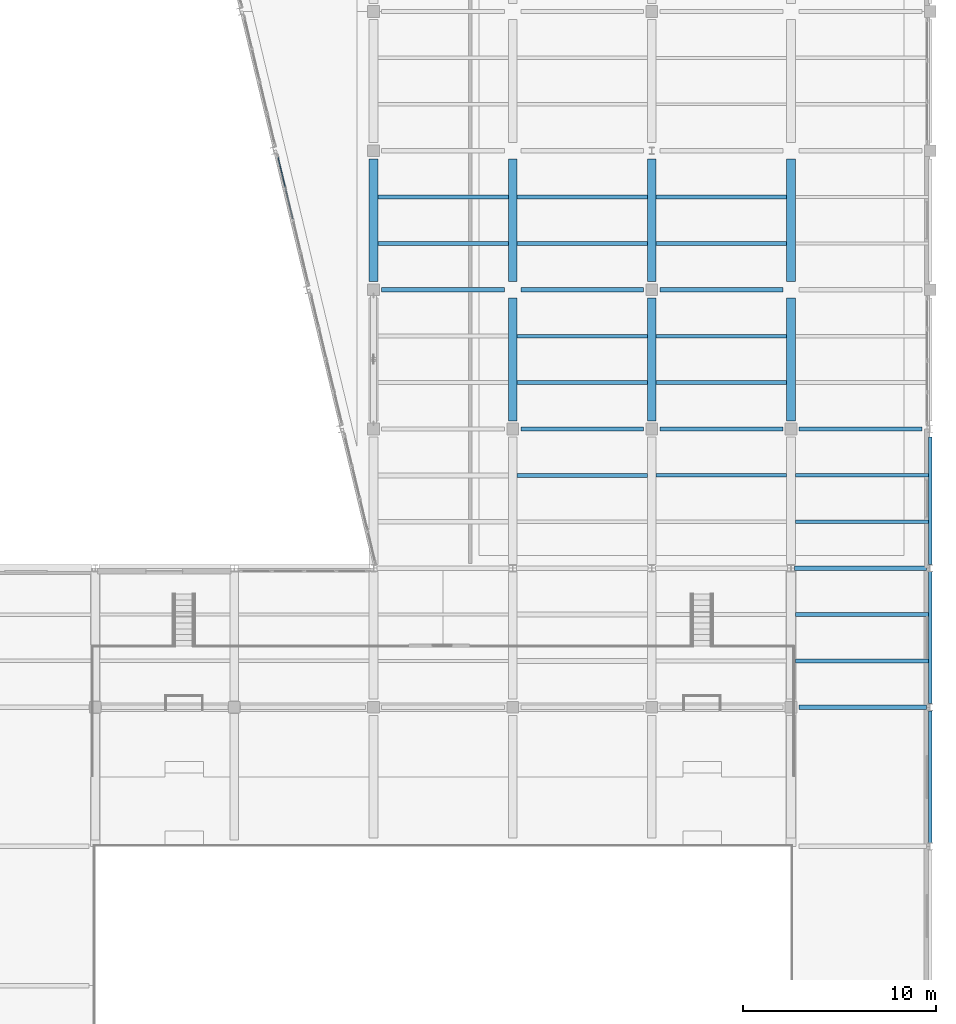
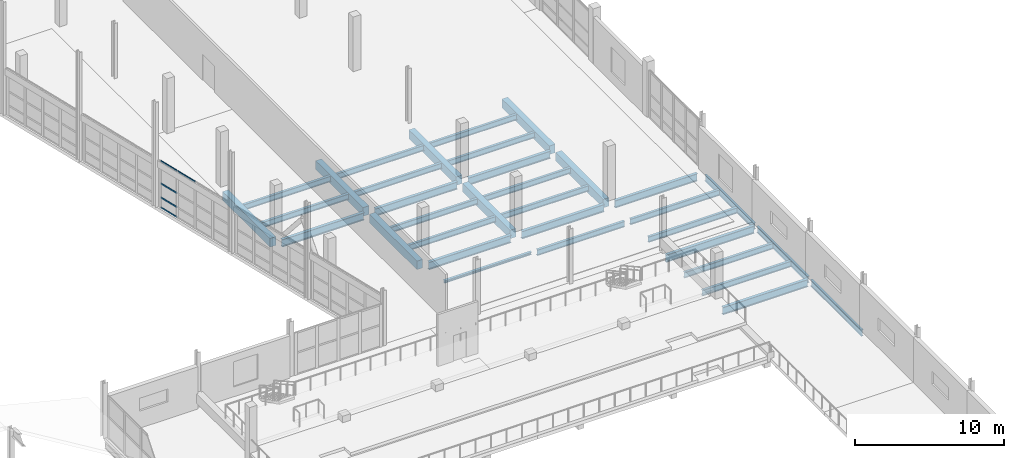
# One storey, part 62 of 123: 34 beams, 5 members, 1 element without a shape of its own.
"""IFC4 building model written with IfcOpenShell, lengths in metres."""

import ifcopenshell
import ifcopenshell.guid

model = None  # the IFC model being written
_history = None  # IfcOwnerHistory: only IFC2X3 demands one
_inside = {}  # id of a spatial element -> (the spatial element, [elements in it])
_under = {}  # id of a project, library or spatial element -> (it, [spatial elements below it])
_declared = {}  # id of a project -> (the project, [libraries it declares])
_typed = {}  # id of a type object -> (the type object, [elements of that type])
_made_of = {}  # id of a material, layer set ... -> (it, [elements and type objects made of it])


def new_model(schema):
    """Start an empty IFC model of exactly this schema.

    Asked for "IFC4X3", IfcOpenShell would pick the latest addendum, in which some entities
    have other attributes; the version numbers below select the first issue.
    IFC2X3 requires an IfcOwnerHistory on every rooted entity: one is made here for all.
    """
    global model, _history
    if schema == "IFC4X3":
        model = ifcopenshell.file(schema_version=(4, 3, 0, 0))
    else:
        model = ifcopenshell.file(schema=schema)
    _inside.clear()
    _under.clear()
    _declared.clear()
    _typed.clear()
    _made_of.clear()
    _history = None
    if model.schema == "IFC2X3":
        org = make("IfcOrganization", Name="unknown")
        user = make(
            "IfcPersonAndOrganization",
            ThePerson=make("IfcPerson", FamilyName="unknown"),
            TheOrganization=org,
        )
        app = make(
            "IfcApplication",
            ApplicationDeveloper=org,
            Version="unknown",
            ApplicationFullName="unknown",
            ApplicationIdentifier="unknown",
        )
        _history = make(
            "IfcOwnerHistory",
            OwningUser=user,
            OwningApplication=app,
            ChangeAction="ADDED",
            CreationDate=0,
        )
    return model


def make(cls, **values):
    """One entity of the class cls with the attributes given. An attribute that is None is left unset."""
    return model.create_entity(
        cls, **{name: value for name, value in values.items() if value is not None}
    )


def rooted(cls, **values):
    """An entity with a GlobalId (a new one), such as an element, a storey or a relation."""
    return make(cls, GlobalId=ifcopenshell.guid.new(), OwnerHistory=_history, **values)


def si_unit(unit_type, name, prefix=None):
    """IfcSIUnit, for example si_unit("LENGTHUNIT", "METRE", prefix="MILLI")."""
    return make("IfcSIUnit", UnitType=unit_type, Prefix=prefix, Name=name)


def assignment(units):
    """IfcUnitAssignment: the units of a project."""
    return None if units is None else make("IfcUnitAssignment", Units=units)


def point(xyz):
    """IfcCartesianPoint."""
    return None if xyz is None else make("IfcCartesianPoint", Coordinates=xyz)


def direction(xyz):
    """IfcDirection."""
    return None if xyz is None else make("IfcDirection", DirectionRatios=xyz)


def frame(location, z_axis=None, x_axis=None):
    """IfcAxis2Placement3D, a coordinate frame: its origin and axes. An axis left out is left unset."""
    return make(
        "IfcAxis2Placement3D",
        Location=point(location),
        Axis=direction(z_axis),
        RefDirection=direction(x_axis),
    )


def frame_2d(location, x_axis=None):
    """IfcAxis2Placement2D, a coordinate frame in the plane: its origin and x axis."""
    return make(
        "IfcAxis2Placement2D", Location=point(location), RefDirection=direction(x_axis)
    )


def origin():
    """The frame at (0, 0, 0) with its axes left unset."""
    return frame((0.0, 0.0, 0.0))


def origin_2d():
    """The frame at (0, 0) in the plane with its x axis left unset."""
    return frame_2d((0.0, 0.0))


def place(relative_to, where):
    """IfcLocalPlacement: puts the frame where relative to a parent placement (None: the world)."""
    return make(
        "IfcLocalPlacement", PlacementRelTo=relative_to, RelativePlacement=where
    )


def context(
    kind, dimensions, precision=None, world=None, true_north=None, identifier=None
):
    """IfcGeometricRepresentationContext, for example the 3D "Model" context."""
    return make(
        "IfcGeometricRepresentationContext",
        ContextIdentifier=identifier,
        ContextType=kind,
        CoordinateSpaceDimension=dimensions,
        Precision=precision,
        WorldCoordinateSystem=world,
        TrueNorth=true_north,
    )


def subcontext(parent, identifier, kind, view, scale=None):
    """IfcGeometricRepresentationSubContext, for example "Body" below "Model"."""
    return make(
        "IfcGeometricRepresentationSubContext",
        ContextIdentifier=identifier,
        ContextType=kind,
        ParentContext=parent,
        TargetScale=scale,
        TargetView=view,
    )


def project(units=None, contexts=None):
    """IfcProject with its units and contexts."""
    return rooted(
        "IfcProject",
        Name="project",
        RepresentationContexts=contexts,
        UnitsInContext=assignment(units),
    )


def spatial(cls, under=None, at=None, **own):
    """A site, building, storey or space (cls), placed at a placement, below another one or the project."""
    s = rooted(cls, ObjectPlacement=at, **own)
    if under is not None:
        _under.setdefault(under.id(), (under, []))[1].append(s)
    return s


def profile(cls, at=None, kind="AREA", **sizes):
    """A parametric profile (cls). Its sizes go by their IFC names, for example OverallWidth=200.0."""
    return make(cls, ProfileType=kind, Position=at, **sizes)


def rectangle(**sizes):
    """IfcRectangleProfileDef."""
    return profile("IfcRectangleProfileDef", **sizes)


def hollow_rectangle(**sizes):
    """IfcRectangleHollowProfileDef."""
    return profile("IfcRectangleHollowProfileDef", **sizes)


def i_section(**sizes):
    """IfcIShapeProfileDef."""
    return profile("IfcIShapeProfileDef", **sizes)


def extrude(swept, where, along, depth):
    """IfcExtrudedAreaSolid: the profile swept, set in the frame where, extruded along a direction by depth."""
    return make(
        "IfcExtrudedAreaSolid",
        SweptArea=swept,
        Position=where,
        ExtrudedDirection=direction(along),
        Depth=depth,
    )


def shape(context_of_items, identifier, shape_type, items):
    """IfcShapeRepresentation: the items that make up one representation, for example the "Body"."""
    return make(
        "IfcShapeRepresentation",
        ContextOfItems=context_of_items,
        RepresentationIdentifier=identifier,
        RepresentationType=shape_type,
        Items=items,
    )


def material(Name=None, Category=None):
    """IfcMaterial."""
    return make("IfcMaterial", Name=Name, Category=Category)


def material_profile(
    of_material, cross_section, Name=None, Category=None, Priority=None
):
    """IfcMaterialProfile: a cross section and its material."""
    return make(
        "IfcMaterialProfile",
        Name=Name,
        Material=of_material,
        Profile=cross_section,
        Priority=Priority,
        Category=Category,
    )


def profile_set(profiles, Name=None, composite=None):
    """IfcMaterialProfileSet."""
    return make(
        "IfcMaterialProfileSet",
        Name=Name,
        MaterialProfiles=profiles,
        CompositeProfile=composite,
    )


def made_of(thing, what):
    """Note that an element or type object is made of a material, layer set ...; save() writes the relation."""
    if what is not None:
        _made_of.setdefault(what.id(), (what, []))[1].append(thing)
    return thing


def type_object(cls, material=None, **own):
    """A type object (cls), such as IfcWallType, which elements share."""
    return made_of(rooted(cls, **own), material)


def element(
    cls,
    number,
    at=None,
    inside=None,
    cuts=None,
    type_object=None,
    material=None,
    context=None,
    identifier="Body",
    shape_type=None,
    held_by="IfcProductDefinitionShape",
    body=None,
    shapes=None,
    **own,
):
    """One element of the class cls, such as IfcWall. Its Tag is "e" and its number.

    at: its placement. inside: the storey or other place that contains it. cuts: it is an
    opening in that element (IfcRelVoidsElement). A single representation is given by context,
    identifier, shape_type and body (its items); several are given by shapes. held_by: the class
    of the entity that holds the representations. save() writes the other relations.
    """
    e = rooted(cls, Tag="e%d" % number, ObjectPlacement=at, **own)
    if body is not None:
        shapes = [shape(context, identifier, shape_type, body)]
    if shapes is not None:
        e.Representation = make(held_by, Representations=shapes)
    if inside is not None:
        _inside.setdefault(inside.id(), (inside, []))[1].append(e)
    if cuts is not None:
        rooted(
            "IfcRelVoidsElement", RelatingBuildingElement=cuts, RelatedOpeningElement=e
        )
    if type_object is not None:
        _typed.setdefault(type_object.id(), (type_object, []))[1].append(e)
    return made_of(e, material)


def aggregate(whole, parts):
    """IfcRelAggregates: a whole, such as a stair, and the parts it consists of."""
    return rooted("IfcRelAggregates", RelatingObject=whole, RelatedObjects=parts)


def save(model, path):
    """Write the relations noted so far, then the file.

    IfcRelAggregates (storeys below a building ...), IfcRelContainedInSpatialStructure (elements
    in a storey), IfcRelDefinesByType, IfcRelAssociatesMaterial and IfcRelDeclares: one each for
    every whole, place, type object, material and project.
    """
    for whole, parts in _under.values():
        aggregate(whole, parts)
    for where, things in _inside.values():
        rooted(
            "IfcRelContainedInSpatialStructure",
            RelatedElements=things,
            RelatingStructure=where,
        )
    for kind, things in _typed.values():
        rooted("IfcRelDefinesByType", RelatedObjects=things, RelatingType=kind)
    for what, things in _made_of.values():
        rooted("IfcRelAssociatesMaterial", RelatedObjects=things, RelatingMaterial=what)
    for by, libraries in _declared.values():
        rooted("IfcRelDeclares", RelatingContext=by, RelatedDefinitions=libraries)
    model.write(path)


model = new_model("IFC4")

# Units and contexts
model_context = context("Model", 3, precision=1e-05, world=origin(), true_north=direction((0.0, 1.0)))
body_context = subcontext(model_context, "Body", "Model", "MODEL_VIEW")
ifc_project = project(units=[si_unit("LENGTHUNIT", "METRE"), si_unit("AREAUNIT", "SQUARE_METRE"), si_unit("VOLUMEUNIT", "CUBIC_METRE"), si_unit("PLANEANGLEUNIT", "RADIAN"), si_unit("MASSUNIT", "GRAM", prefix="KILO")], contexts=[model_context])

# Site, building, storey
site_placement = place(None, origin())
site = spatial("IfcSite", under=ifc_project, at=site_placement, CompositionType="ELEMENT")
building_placement = place(site_placement, origin())
building = spatial("IfcBuilding", under=site, at=building_placement, Name="Kalmorath City Hall", CompositionType="ELEMENT")
storey_placement = place(building_placement, frame((0.0, 0.0, 10.199951171875)))
storey = spatial("IfcBuildingStorey", under=building, at=storey_placement, Name="L02", CompositionType="ELEMENT", Elevation=10.199951171875)

# Beams
ifc_material_1 = material(Name="Concrete C40/50", Category="concrete")
ifc_material_profile_1 = material_profile(ifc_material_1, rectangle(XDim=0.449951171875, YDim=0.699951171875, at=origin_2d()), Name="RC-BM-450X700")
ifc_profile_set_1 = profile_set([ifc_material_profile_1], Name="Concrete C40/50")
beam_type_1 = type_object("IfcBeamType", Name="Concrete floor beam 450x700", PredefinedType="BEAM", material=ifc_profile_set_1)
for number, where, z_axis, x_axis, name in (
    (1, (136.800048828125, 58.02490234375, -0.634033203125), (0.0, 1.0, 0.0), (-1.0, 0.0, 0.0), "L02 girder CB4 Y20/9-10"),
    (2, (144.0, 50.824951171875, -0.634033203125), (0.0, 1.0, 0.0), (-1.0, 0.0, 0.0), "L02 girder CB4 Y21/8-9"),
    (3, (144.0, 58.02490234375, -0.634033203125), (0.0, 1.0, 0.0), (-1.0, 0.0, 0.0), "L02 girder CB4 Y21/9-10"),
    (4, (151.199951171875, 50.824951171875, -0.634033203125), (0.0, 1.0, 0.0), (-1.0, 0.0, 0.0), "L02 girder CB4 Y22/8-9"),
    (5, (151.199951171875, 58.02490234375, -0.634033203125), (0.0, 1.0, 0.0), (-1.0, 0.0, 0.0), "L02 girder CB4 Y22/9-10"),
    (6, (158.39990234375, 50.824951171875, -0.634033203125), (0.0, 1.0, 0.0), (-1.0, 0.0, 0.0), "L02 girder CB4 Y23/8-9"),
    (7, (158.39990234375, 58.02490234375, -0.634033203125), (0.0, 1.0, 0.0), (-1.0, 0.0, 0.0), "L02 girder CB4 Y23/9-10"),
):
    element("IfcBeam", number, at=place(storey_placement, frame(where, z_axis=z_axis, x_axis=x_axis)), inside=storey, type_object=beam_type_1, Name=name, PredefinedType="BEAM", context=body_context, shape_type="SweptSolid", body=[
        extrude(rectangle(XDim=0.449951171875, YDim=0.699951171875, at=origin_2d()), origin(), (0.0, 0.0, 1.0), 6.35009765625),
    ])

# Curtain wall, members
ifc_material_2 = material(Name="Anodised aluminium and laminated glass", Category="aluminium")
curtain_wall_type = type_object("IfcCurtainWallType", Name="Unitised hurricane curtain wall 6849x3835 M1850", PredefinedType="NOTDEFINED", material=ifc_material_2)
curtain_wall_placement = place(storey_placement, origin())
curtain_wall = element("IfcCurtainWall", 8, at=curtain_wall_placement, inside=storey, type_object=curtain_wall_type, Name="L02 curtain wall CW-68X38M18 #127", PredefinedType="NOTDEFINED")
ifc_material_3 = material(Name="Anodised aluminium framing", Category="aluminium")
ifc_material_profile_2 = material_profile(ifc_material_3, hollow_rectangle(XDim=0.06005859375, YDim=0.1298828125, WallThickness=0.00341796875, InnerFilletRadius=0.00341796875, OuterFilletRadius=0.007080078125, at=origin_2d()), Name="ALU-TRN-130X60X3.5")
ifc_profile_set_2 = profile_set([ifc_material_profile_2], Name="Anodised aluminium framing")
member_type = type_object("IfcMemberType", Name="Curtain-wall courtyard transom 130x60", PredefinedType="USERDEFINED", material=ifc_profile_set_2)
member_1_placement = place(storey_placement, frame((132.63427734375, 61.236572265625, 3.804931640625), z_axis=(-0.233508300868, 0.972354808404, 0.0), x_axis=(-0.972354808404, -0.233508300868, 0.0)))
member_1 = element("IfcMember", 9, at=member_1_placement, type_object=member_type, Name="CW-68X38M18 transom 3.4", ObjectType="TRANSOM", PredefinedType="USERDEFINED", context=body_context, shape_type="SweptSolid", body=[
    extrude(hollow_rectangle(XDim=0.06005859375, YDim=0.1298828125, WallThickness=0.00341796875, InnerFilletRadius=0.00341796875, OuterFilletRadius=0.007080078125, at=origin_2d()), origin(), (0.0, 0.0, 1.0), 1.63720703125),
])
member_2_placement = place(storey_placement, frame((132.234375, 62.9013671875, 0.030029296875), z_axis=(-0.233332550128, 0.972396997656, 0.0), x_axis=(-0.972396997656, -0.233332550128, 0.0)))
member_2 = element("IfcMember", 10, at=member_2_placement, type_object=member_type, Name="CW-68X38M18 transom 4.1", ObjectType="TRANSOM", PredefinedType="USERDEFINED", context=body_context, shape_type="SweptSolid", body=[
    extrude(hollow_rectangle(XDim=0.06005859375, YDim=0.1298828125, WallThickness=0.00341796875, InnerFilletRadius=0.00341796875, OuterFilletRadius=0.007080078125, at=origin_2d()), origin(), (0.0, 0.0, 1.0), 1.599853515625),
])
member_3_placement = place(storey_placement, frame((132.234375, 62.9013671875, 0.85009765625), z_axis=(-0.233332550128, 0.972396997656, 0.0), x_axis=(-0.972396997656, -0.233332550128, 0.0)))
member_3 = element("IfcMember", 11, at=member_3_placement, type_object=member_type, Name="CW-68X38M18 transom 4.2", ObjectType="TRANSOM", PredefinedType="USERDEFINED", context=body_context, shape_type="SweptSolid", body=[
    extrude(hollow_rectangle(XDim=0.06005859375, YDim=0.1298828125, WallThickness=0.00341796875, InnerFilletRadius=0.00341796875, OuterFilletRadius=0.007080078125, at=origin_2d()), origin(), (0.0, 0.0, 1.0), 1.599853515625),
])
member_4_placement = place(storey_placement, frame((132.234375, 62.9013671875, 1.994140625), z_axis=(-0.233332550128, 0.972396997656, 0.0), x_axis=(-0.972396997656, -0.233332550128, 0.0)))
member_4 = element("IfcMember", 12, at=member_4_placement, type_object=member_type, Name="CW-68X38M18 transom 4.3", ObjectType="TRANSOM", PredefinedType="USERDEFINED", context=body_context, shape_type="SweptSolid", body=[
    extrude(hollow_rectangle(XDim=0.06005859375, YDim=0.1298828125, WallThickness=0.00341796875, InnerFilletRadius=0.00341796875, OuterFilletRadius=0.007080078125, at=origin_2d()), origin(), (0.0, 0.0, 1.0), 1.599853515625),
])
member_5_placement = place(storey_placement, frame((132.234375, 62.9013671875, 3.804931640625), z_axis=(-0.233332550128, 0.972396997656, 0.0), x_axis=(-0.972396997656, -0.233332550128, 0.0)))
member_5 = element("IfcMember", 13, at=member_5_placement, type_object=member_type, Name="CW-68X38M18 transom 4.4", ObjectType="TRANSOM", PredefinedType="USERDEFINED", context=body_context, shape_type="SweptSolid", body=[
    extrude(hollow_rectangle(XDim=0.06005859375, YDim=0.1298828125, WallThickness=0.00341796875, InnerFilletRadius=0.00341796875, OuterFilletRadius=0.007080078125, at=origin_2d()), origin(), (0.0, 0.0, 1.0), 1.599853515625),
])
aggregate(curtain_wall, [member_1, member_2, member_3, member_4, member_5])

# Beams
ifc_material_4 = material(Name="Steel ASTM A992 Grade 50", Category="steel")
ifc_material_profile_3 = material_profile(ifc_material_4, i_section(OverallWidth=0.19091796875, OverallDepth=0.45703125, WebThickness=0.009033203125, FlangeThickness=0.014404296875, FilletRadius=0.013916015625, at=origin_2d()), Name="W18X50")
ifc_profile_set_3 = profile_set([ifc_material_profile_3], Name="Steel ASTM A992 Grade 50")
beam_type_2 = type_object("IfcBeamType", Name="Steel composite joist W18X50", PredefinedType="JOIST", material=ifc_profile_set_3)
for number, where, z_axis, x_axis, name in (
    (14, (151.425048828125, 60.0, -0.512451171875), (1.0, 0.0, 0.0), (0.0, 1.0, 0.0), "L02 joist SJ3 22.9.1"),
    (15, (151.425048828125, 62.39990234375, -0.512451171875), (1.0, 0.0, 0.0), (0.0, 1.0, 0.0), "L02 joist SJ3 22.9.2"),
):
    element("IfcBeam", number, at=place(storey_placement, frame(where, z_axis=z_axis, x_axis=x_axis)), inside=storey, type_object=beam_type_2, Name=name, PredefinedType="JOIST", context=body_context, shape_type="SweptSolid", body=[
        extrude(i_section(OverallWidth=0.19091796875, OverallDepth=0.45703125, WebThickness=0.009033203125, FlangeThickness=0.014404296875, FilletRadius=0.013916015625, at=origin_2d()), origin(), (0.0, 0.0, 1.0), 6.75),
    ])
ifc_material_5 = material(Name="Steel ASTM A992 Grade 50", Category="steel")
ifc_material_profile_4 = material_profile(ifc_material_5, i_section(OverallWidth=0.19091796875, OverallDepth=0.4599609375, WebThickness=0.010009765625, FlangeThickness=0.01611328125, FilletRadius=0.013916015625, at=origin_2d()), Name="W18X55")
ifc_profile_set_4 = profile_set([ifc_material_profile_4], Name="Steel ASTM A992 Grade 50")
beam_type_3 = type_object("IfcBeamType", Name="Steel composite joist W18X55", PredefinedType="JOIST", material=ifc_profile_set_4)
for number, where, z_axis, x_axis, name in (
    (16, (144.22509765625, 60.0, -0.513916015625), (1.0, 0.0, 0.0), (0.0, 1.0, 0.0), "L02 joist SJ2 21.9.1"),
    (17, (144.22509765625, 62.39990234375, -0.513916015625), (1.0, 0.0, 0.0), (0.0, 1.0, 0.0), "L02 joist SJ2 21.9.2"),
    (18, (151.425048828125, 52.800048828125, -0.513916015625), (1.0, 0.0, 0.0), (0.0, 1.0, 0.0), "L02 joist SJ2 22.8.1"),
    (19, (151.425048828125, 55.199951171875, -0.513916015625), (1.0, 0.0, 0.0), (0.0, 1.0, 0.0), "L02 joist SJ2 22.8.2"),
):
    element("IfcBeam", number, at=place(storey_placement, frame(where, z_axis=z_axis, x_axis=x_axis)), inside=storey, type_object=beam_type_3, Name=name, PredefinedType="JOIST", context=body_context, shape_type="SweptSolid", body=[
        extrude(i_section(OverallWidth=0.19091796875, OverallDepth=0.4599609375, WebThickness=0.010009765625, FlangeThickness=0.01611328125, FilletRadius=0.013916015625, at=origin_2d()), origin(), (0.0, 0.0, 1.0), 6.75),
    ])
for number, where, z_axis, x_axis, name in (
    (20, (158.625, 45.60009765625, -0.513916015625), (1.0, 0.0, 0.0), (0.0, 1.0, 0.0), "L02 joist SJ2 23.7.1"),
    (21, (158.625, 48.0, -0.513916015625), (1.0, 0.0, 0.0), (0.0, 1.0, 0.0), "L02 joist SJ2 23.7.2"),
):
    element("IfcBeam", number, at=place(storey_placement, frame(where, z_axis=z_axis, x_axis=x_axis)), inside=storey, type_object=beam_type_3, Name=name, PredefinedType="JOIST", context=body_context, shape_type="SweptSolid", body=[
        extrude(i_section(OverallWidth=0.19091796875, OverallDepth=0.4599609375, WebThickness=0.010009765625, FlangeThickness=0.01611328125, FilletRadius=0.013916015625, at=origin_2d()), origin(), (0.0, 0.0, 1.0), 6.892578125),
    ])
ifc_material_6 = material(Name="Steel ASTM A992 Grade 50", Category="steel")
ifc_material_profile_5 = material_profile(ifc_material_6, i_section(OverallWidth=0.193115234375, OverallDepth=0.466064453125, WebThickness=0.011474609375, FlangeThickness=0.01904296875, FilletRadius=0.013916015625, at=origin_2d()), Name="W18X65")
ifc_profile_set_5 = profile_set([ifc_material_profile_5], Name="Steel ASTM A992 Grade 50")
beam_type_4 = type_object("IfcBeamType", Name="Steel composite joist W18X65", PredefinedType="JOIST", material=ifc_profile_set_5)
for number, where, z_axis, x_axis, name in (
    (22, (137.02490234375, 60.0, -0.516845703125), (1.0, 0.0, 0.0), (0.0, 1.0, 0.0), "L02 joist SJ1 20.9.1"),
    (23, (137.02490234375, 62.39990234375, -0.516845703125), (1.0, 0.0, 0.0), (0.0, 1.0, 0.0), "L02 joist SJ1 20.9.2"),
    (24, (144.22509765625, 52.800048828125, -0.516845703125), (1.0, 0.0, 0.0), (0.0, 1.0, 0.0), "L02 joist SJ1 21.8.1"),
    (25, (144.22509765625, 55.199951171875, -0.516845703125), (1.0, 0.0, 0.0), (0.0, 1.0, 0.0), "L02 joist SJ1 21.8.2"),
    (26, (151.425048828125, 48.0, -0.516845703125), (1.0, 0.0, 0.0), (0.0, 1.0, 0.0), "L02 joist SJ1 22.7.2"),
):
    element("IfcBeam", number, at=place(storey_placement, frame(where, z_axis=z_axis, x_axis=x_axis)), inside=storey, type_object=beam_type_4, Name=name, PredefinedType="JOIST", context=body_context, shape_type="SweptSolid", body=[
        extrude(i_section(OverallWidth=0.193115234375, OverallDepth=0.466064453125, WebThickness=0.011474609375, FlangeThickness=0.01904296875, FilletRadius=0.013916015625, at=origin_2d()), origin(), (0.0, 0.0, 1.0), 6.75),
    ])
for number, where, z_axis, x_axis, name in (
    (27, (158.625, 38.39990234375, -0.516845703125), (1.0, 0.0, 0.0), (0.0, 1.0, 0.0), "L02 joist SJ1 23.6.1"),
    (28, (158.625, 40.800048828125, -0.516845703125), (1.0, 0.0, 0.0), (0.0, 1.0, 0.0), "L02 joist SJ1 23.6.2"),
):
    element("IfcBeam", number, at=place(storey_placement, frame(where, z_axis=z_axis, x_axis=x_axis)), inside=storey, type_object=beam_type_4, Name=name, PredefinedType="JOIST", context=body_context, shape_type="SweptSolid", body=[
        extrude(i_section(OverallWidth=0.193115234375, OverallDepth=0.466064453125, WebThickness=0.011474609375, FlangeThickness=0.01904296875, FilletRadius=0.013916015625, at=origin_2d()), origin(), (0.0, 0.0, 1.0), 6.892578125),
    ])
ifc_material_7 = material(Name="Steel ASTM A992 Grade 50", Category="steel")
ifc_material_profile_6 = material_profile(ifc_material_7, i_section(OverallWidth=0.202880859375, OverallDepth=0.202880859375, WebThickness=0.007080078125, FlangeThickness=0.010986328125, FilletRadius=0.010986328125, at=origin_2d()), Name="W8X31")
ifc_profile_set_6 = profile_set([ifc_material_profile_6], Name="Steel ASTM A992 Grade 50")
beam_type_5 = type_object("IfcBeamType", Name="Steel edge trimmer W8X31", PredefinedType="LINTEL", material=ifc_profile_set_6)
beam_1_placement = place(storey_placement, frame((144.22509765625, 48.0, -0.385498046875), z_axis=(1.0, 0.0, 0.0), x_axis=(0.0, 1.0, 0.0)))
element("IfcBeam", 29, at=beam_1_placement, inside=storey, type_object=beam_type_5, Name="L02 joist SJ16 21.7.2", PredefinedType="LINTEL", context=body_context, shape_type="SweptSolid", body=[
    extrude(i_section(OverallWidth=0.202880859375, OverallDepth=0.202880859375, WebThickness=0.007080078125, FlangeThickness=0.010986328125, FilletRadius=0.010986328125, at=origin_2d()), origin(), (0.0, 0.0, 1.0), 6.75),
])
ifc_material_8 = material(Name="Steel ASTM A992 Grade 50", Category="steel")
ifc_material_profile_7 = material_profile(ifc_material_8, i_section(OverallWidth=0.22900390625, OverallDepth=0.612060546875, WebThickness=0.011962890625, FlangeThickness=0.01953125, FilletRadius=0.01611328125, at=origin_2d()), Name="W24X84")
ifc_profile_set_7 = profile_set([ifc_material_profile_7], Name="Steel ASTM A992 Grade 50")
beam_type_6 = type_object("IfcBeamType", Name="Steel floor girder W24X84", PredefinedType="BEAM", material=ifc_profile_set_7)
beam_2_placement = place(storey_placement, frame((158.824951171875, 36.0, -0.58984375), z_axis=(1.0, 0.0, 0.0), x_axis=(0.0, 1.0, 0.0)))
element("IfcBeam", 30, at=beam_2_placement, inside=storey, type_object=beam_type_6, Name="L02 girder SG8 X23-24/6", PredefinedType="BEAM", context=body_context, shape_type="SweptSolid", body=[
    extrude(i_section(OverallWidth=0.22900390625, OverallDepth=0.612060546875, WebThickness=0.011962890625, FlangeThickness=0.01953125, FilletRadius=0.01611328125, at=origin_2d()), origin(), (0.0, 0.0, 1.0), 6.588134765625),
])
beam_3_placement = place(storey_placement, frame((158.5869140625, 43.199951171875, -0.58984375), z_axis=(1.0, 0.0, 0.0), x_axis=(0.0, 1.0, 0.0)))
element("IfcBeam", 31, at=beam_3_placement, inside=storey, type_object=beam_type_6, Name="L02 girder SG8 X23-24/7", PredefinedType="BEAM", context=body_context, shape_type="SweptSolid", body=[
    extrude(i_section(OverallWidth=0.22900390625, OverallDepth=0.612060546875, WebThickness=0.011962890625, FlangeThickness=0.01953125, FilletRadius=0.01611328125, at=origin_2d()), origin(), (0.0, 0.0, 1.0), 6.826171875),
])
beam_4_placement = place(storey_placement, frame((144.425048828125, 50.39990234375, -0.58984375), z_axis=(1.0, 0.0, 0.0), x_axis=(0.0, 1.0, 0.0)))
element("IfcBeam", 32, at=beam_4_placement, inside=storey, type_object=beam_type_6, Name="L02 girder SG8 X21-22/8", PredefinedType="BEAM", context=body_context, shape_type="SweptSolid", body=[
    extrude(i_section(OverallWidth=0.22900390625, OverallDepth=0.612060546875, WebThickness=0.011962890625, FlangeThickness=0.01953125, FilletRadius=0.01611328125, at=origin_2d()), origin(), (0.0, 0.0, 1.0), 6.349853515625),
])
for number, where, z_axis, x_axis, name in (
    (33, (151.625, 50.39990234375, -0.58984375), (1.0, 0.0, 0.0), (0.0, 1.0, 0.0), "L02 girder SG8 X22-23/8"),
    (34, (158.824951171875, 50.39990234375, -0.58984375), (1.0, 0.0, 0.0), (0.0, 1.0, 0.0), "L02 girder SG8 X23-24/8"),
):
    element("IfcBeam", number, at=place(storey_placement, frame(where, z_axis=z_axis, x_axis=x_axis)), inside=storey, type_object=beam_type_6, Name=name, PredefinedType="BEAM", context=body_context, shape_type="SweptSolid", body=[
        extrude(i_section(OverallWidth=0.22900390625, OverallDepth=0.612060546875, WebThickness=0.011962890625, FlangeThickness=0.01953125, FilletRadius=0.01611328125, at=origin_2d()), origin(), (0.0, 0.0, 1.0), 6.35009765625),
    ])
for number, where, z_axis, x_axis, name in (
    (35, (137.22509765625, 57.60009765625, -0.58984375), (1.0, 0.0, 0.0), (0.0, 1.0, 0.0), "L02 girder SG8 X20-21/9"),
    (36, (144.425048828125, 57.60009765625, -0.58984375), (1.0, 0.0, 0.0), (0.0, 1.0, 0.0), "L02 girder SG8 X21-22/9"),
):
    element("IfcBeam", number, at=place(storey_placement, frame(where, z_axis=z_axis, x_axis=x_axis)), inside=storey, type_object=beam_type_6, Name=name, PredefinedType="BEAM", context=body_context, shape_type="SweptSolid", body=[
        extrude(i_section(OverallWidth=0.22900390625, OverallDepth=0.612060546875, WebThickness=0.011962890625, FlangeThickness=0.01953125, FilletRadius=0.01611328125, at=origin_2d()), origin(), (0.0, 0.0, 1.0), 6.349853515625),
    ])
beam_5_placement = place(storey_placement, frame((151.625, 57.60009765625, -0.58984375), z_axis=(1.0, 0.0, 0.0), x_axis=(0.0, 1.0, 0.0)))
element("IfcBeam", 37, at=beam_5_placement, inside=storey, type_object=beam_type_6, Name="L02 girder SG8 X22-23/9", PredefinedType="BEAM", context=body_context, shape_type="SweptSolid", body=[
    extrude(i_section(OverallWidth=0.22900390625, OverallDepth=0.612060546875, WebThickness=0.011962890625, FlangeThickness=0.01953125, FilletRadius=0.01611328125, at=origin_2d()), origin(), (0.0, 0.0, 1.0), 6.35009765625),
])
ifc_material_9 = material(Name="Steel ASTM A992 Grade 50", Category="steel")
ifc_material_profile_8 = material_profile(ifc_material_9, i_section(OverallWidth=0.1650390625, OverallDepth=0.52490234375, WebThickness=0.0087890625, FlangeThickness=0.011474609375, FilletRadius=0.014892578125, at=origin_2d()), Name="W21X44")
ifc_profile_set_8 = profile_set([ifc_material_profile_8], Name="Steel ASTM A992 Grade 50")
beam_type_7 = type_object("IfcBeamType", Name="Steel spandrel beam W21X44", PredefinedType="SPANDREL", material=ifc_profile_set_8)
for number, where, z_axis, x_axis, name in (
    (38, (165.60009765625, 28.986083984375, -0.54638671875), (0.0, 1.0, 0.0), (-1.0, 0.0, 0.0), "L02 girder SB4 Y24/5-6"),
    (39, (165.60009765625, 36.18603515625, -0.54638671875), (0.0, 1.0, 0.0), (-1.0, 0.0, 0.0), "L02 girder SB4 Y24/6-7"),
):
    element("IfcBeam", number, at=place(storey_placement, frame(where, z_axis=z_axis, x_axis=x_axis)), inside=storey, type_object=beam_type_7, Name=name, PredefinedType="SPANDREL", context=body_context, shape_type="SweptSolid", body=[
        extrude(i_section(OverallWidth=0.1650390625, OverallDepth=0.52490234375, WebThickness=0.0087890625, FlangeThickness=0.011474609375, FilletRadius=0.014892578125, at=origin_2d()), origin(), (0.0, 0.0, 1.0), 6.827880859375),
    ])
beam_6_placement = place(storey_placement, frame((165.60009765625, 43.385986328125, -0.54638671875), z_axis=(0.0, 1.0, 0.0), x_axis=(-1.0, 0.0, 0.0)))
element("IfcBeam", 40, at=beam_6_placement, inside=storey, type_object=beam_type_7, Name="L02 girder SB4 Y24/7-8", PredefinedType="SPANDREL", context=body_context, shape_type="SweptSolid", body=[
    extrude(i_section(OverallWidth=0.1650390625, OverallDepth=0.52490234375, WebThickness=0.0087890625, FlangeThickness=0.011474609375, FilletRadius=0.014892578125, at=origin_2d()), origin(), (0.0, 0.0, 1.0), 6.589111328125),
])

save(model, "model.ifc")
